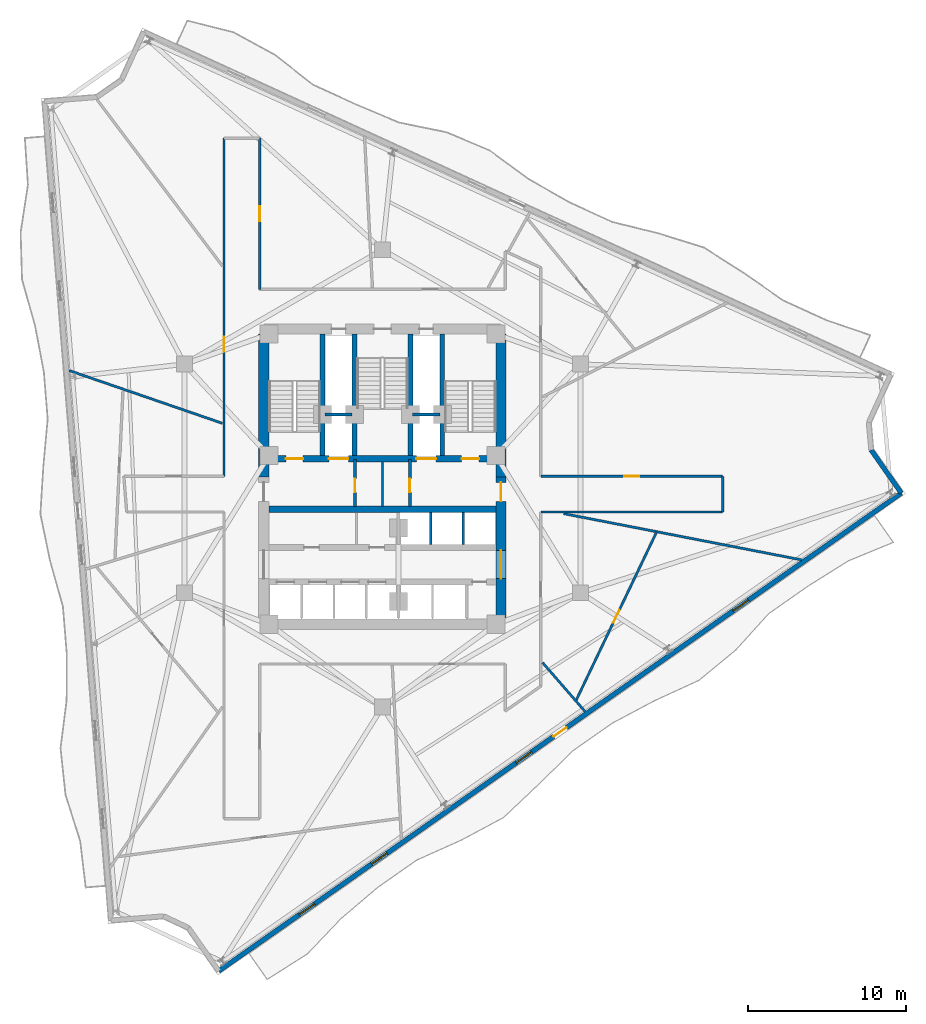
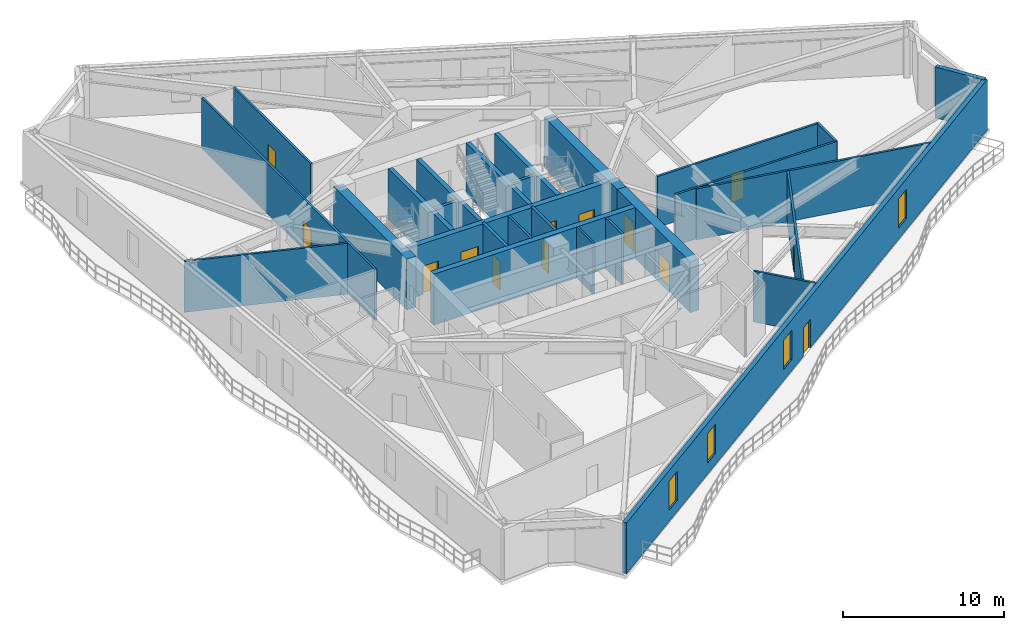
# One storey, part 6 of 12: 27 walls, 13 doors, 4 windows, 17 openings.
"""IFC4 building model written with IfcOpenShell, lengths in metres."""

from ifc_helpers import new_model, si_unit, direction, frame, frame_2d, origin, place, context, subcontext, project, spatial, rectangle, extrude, material, layer, layer_set, type_object, element, fill, save


model = new_model("IFC4")

# Units and contexts
model_context = context("Model", 3, precision=1e-05, world=origin(), true_north=direction((0.0, 1.0)))
body_context = subcontext(model_context, "Body", "Model", "MODEL_VIEW")
ifc_project = project(units=[si_unit("LENGTHUNIT", "METRE"), si_unit("AREAUNIT", "SQUARE_METRE"), si_unit("VOLUMEUNIT", "CUBIC_METRE"), si_unit("PLANEANGLEUNIT", "RADIAN"), si_unit("MASSUNIT", "GRAM", prefix="KILO")], contexts=[model_context])

# Site, building, storey
site_placement = place(None, origin())
site = spatial("IfcSite", under=ifc_project, at=site_placement, CompositionType="ELEMENT")
building_placement = place(site_placement, origin())
building = spatial("IfcBuilding", under=site, at=building_placement, Name="Apsidion Concourse Tower", CompositionType="ELEMENT")
storey_placement = place(building_placement, frame((0.0, 0.0, 198.300048828125)))
storey = spatial("IfcBuildingStorey", under=building, at=storey_placement, Name="L46", CompositionType="ELEMENT", Elevation=198.300048828125)

# Wall
ifc_material_1 = material(Name="Precast concrete C40/50", Category="concrete")
ifc_layer_1 = layer(ifc_material_1, 0.300048828125)
ifc_layer_set_1 = layer_set([ifc_layer_1], Name="Precast concrete C40/50")
wall_type_1 = type_object("IfcWallType", Name="WL-EXT-300", PredefinedType="STANDARD", material=ifc_layer_set_1)
wall_1_placement = place(storey_placement, frame((30.99951171875, 1.809814453125, 0.0), z_axis=(0.0, 0.0, 1.0), x_axis=(0.573550493689, -0.819170208925, 0.0)))
element("IfcWall", 1, at=wall_1_placement, inside=storey, type_object=wall_type_1, Name="L46 Precast Stone Facade Wall 04", PredefinedType="STANDARD", context=body_context, shape_type="SweptSolid", body=[
    extrude(rectangle(XDim=3.345703125, YDim=0.300048828125, at=frame_2d((1.6728515625, 0.0))), origin(), (0.0, 0.0, 1.0), 3.849853515625),
])

# Wall, openings, door, windows
wall_2_placement = place(storey_placement, frame((32.91845703125, -0.930908203125, 0.0), z_axis=(0.0, 0.0, 1.0), x_axis=(-0.819151415939, -0.573577333727, 0.0)))
wall_2 = element("IfcWall", 2, at=wall_2_placement, inside=storey, type_object=wall_type_1, Name="L46 Precast Stone Facade Wall 05", PredefinedType="STANDARD", context=body_context, shape_type="SweptSolid", body=[
    extrude(rectangle(XDim=52.862548828125, YDim=0.300048828125, at=frame_2d((26.43115234375, 0.0))), origin(), (0.0, 0.0, 1.0), 3.849853515625),
])
opening_1_placement = place(wall_2_placement, frame((25.931396484375, 0.0, 0.0)))
opening_1 = element("IfcOpeningElement", 3, at=opening_1_placement, cuts=wall_2, Name="Opening D-T1R", PredefinedType="OPENING", context=body_context, shape_type="SweptSolid", body=[
    extrude(rectangle(XDim=1.0, YDim=2.14990234375, at=frame_2d((0.5, 1.074951171875))), frame((0.0, 0.16015625, 0.0), z_axis=(0.0, -1.0, 0.0), x_axis=(1.0, 0.0, 0.0)), (0.0, 0.0, 1.0), 0.320068359375),
])
opening_2_placement = place(wall_2_placement, frame((11.831298828125, 0.0, 0.85009765625)))
opening_2 = element("IfcOpeningElement", 4, at=opening_2_placement, cuts=wall_2, Name="Opening WN-06", PredefinedType="OPENING", context=body_context, shape_type="SweptSolid", body=[
    extrude(rectangle(XDim=1.199951171875, YDim=2.199951171875, at=frame_2d((0.60009765625, 1.10009765625))), frame((0.0, 0.16015625, 0.0), z_axis=(0.0, -1.0, 0.0), x_axis=(1.0, 0.0, 0.0)), (0.0, 0.0, 1.0), 0.320068359375),
])
opening_3_placement = place(wall_2_placement, frame((28.63134765625, 0.0, 0.85009765625)))
opening_3 = element("IfcOpeningElement", 5, at=opening_3_placement, cuts=wall_2, Name="Opening WN-06", PredefinedType="OPENING", context=body_context, shape_type="SweptSolid", body=[
    extrude(rectangle(XDim=1.199951171875, YDim=2.199951171875, at=frame_2d((0.60009765625, 1.10009765625))), frame((0.0, 0.16015625, 0.0), z_axis=(0.0, -1.0, 0.0), x_axis=(1.0, 0.0, 0.0)), (0.0, 0.0, 1.0), 0.320068359375),
])
opening_4_placement = place(wall_2_placement, frame((39.831298828125, 0.0, 0.85009765625)))
opening_4 = element("IfcOpeningElement", 6, at=opening_4_placement, cuts=wall_2, Name="Opening WN-06", PredefinedType="OPENING", context=body_context, shape_type="SweptSolid", body=[
    extrude(rectangle(XDim=1.199951171875, YDim=2.199951171875, at=frame_2d((0.60009765625, 1.10009765625))), frame((0.0, 0.16015625, 0.0), z_axis=(0.0, -1.0, 0.0), x_axis=(1.0, 0.0, 0.0)), (0.0, 0.0, 1.0), 0.320068359375),
])
opening_5_placement = place(wall_2_placement, frame((45.431396484375, 0.0, 0.85009765625)))
opening_5 = element("IfcOpeningElement", 7, at=opening_5_placement, cuts=wall_2, Name="Opening WN-06", PredefinedType="OPENING", context=body_context, shape_type="SweptSolid", body=[
    extrude(rectangle(XDim=1.199951171875, YDim=2.199951171875, at=frame_2d((0.60009765625, 1.10009765625))), frame((0.0, 0.16015625, 0.0), z_axis=(0.0, -1.0, 0.0), x_axis=(1.0, 0.0, 0.0)), (0.0, 0.0, 1.0), 0.320068359375),
])
ifc_material_2 = material(Name="Anodised aluminium EN AW-6063 T6", Category="aluminium")
door_type_1 = type_object("IfcDoorType", Name="DR-TER-1022R", OperationType="SINGLE_SWING_RIGHT", PredefinedType="DOOR", material=ifc_material_2)
door_1_placement = place(opening_1_placement, origin())
door_1 = element("IfcDoor", 8, at=door_1_placement, inside=storey, type_object=door_type_1, Name="L46 Balcony Access Door 2", OperationType="SINGLE_SWING_RIGHT", OverallHeight=2.14990234375, OverallWidth=1.0, PredefinedType="DOOR", context=body_context, shape_type="SweptSolid", body=[
    extrude(rectangle(XDim=1.0, YDim=2.14990234375, at=frame_2d((0.5, 1.074951171875))), frame((0.0, 0.02490234375, 0.0), z_axis=(0.0, -1.0, 0.0), x_axis=(1.0, 0.0, 0.0)), (0.0, 0.0, 1.0), 0.050048828125),
])
fill(opening_1, door_1)
ifc_material_3 = material(Name="Insulated laminated low-E glass", Category="glass")
window_type = type_object("IfcWindowType", Name="WN-OFF-1224", PartitioningType="SINGLE_PANEL", PredefinedType="WINDOW", material=ifc_material_3)
window_1_placement = place(opening_2_placement, origin())
window_1 = element("IfcWindow", 9, at=window_1_placement, inside=storey, type_object=window_type, Name="L46 Punched Facade Window 5-02", OverallHeight=2.199951171875, OverallWidth=1.199951171875, PartitioningType="SINGLE_PANEL", PredefinedType="WINDOW", context=body_context, shape_type="SweptSolid", body=[
    extrude(rectangle(XDim=1.199951171875, YDim=2.199951171875, at=frame_2d((0.60009765625, 1.10009765625))), frame((0.0, 0.030029296875, 0.0), z_axis=(0.0, -1.0, 0.0), x_axis=(1.0, 0.0, 0.0)), (0.0, 0.0, 1.0), 0.06005859375),
])
fill(opening_2, window_1)
window_2_placement = place(opening_3_placement, origin())
window_2 = element("IfcWindow", 10, at=window_2_placement, inside=storey, type_object=window_type, Name="L46 Punched Facade Window 5-05", OverallHeight=2.199951171875, OverallWidth=1.199951171875, PartitioningType="SINGLE_PANEL", PredefinedType="WINDOW", context=body_context, shape_type="SweptSolid", body=[
    extrude(rectangle(XDim=1.199951171875, YDim=2.199951171875, at=frame_2d((0.60009765625, 1.10009765625))), frame((0.0, 0.030029296875, 0.0), z_axis=(0.0, -1.0, 0.0), x_axis=(1.0, 0.0, 0.0)), (0.0, 0.0, 1.0), 0.06005859375),
])
fill(opening_3, window_2)
window_3_placement = place(opening_4_placement, origin())
window_3 = element("IfcWindow", 11, at=window_3_placement, inside=storey, type_object=window_type, Name="L46 Punched Facade Window 5-07", OverallHeight=2.199951171875, OverallWidth=1.199951171875, PartitioningType="SINGLE_PANEL", PredefinedType="WINDOW", context=body_context, shape_type="SweptSolid", body=[
    extrude(rectangle(XDim=1.199951171875, YDim=2.199951171875, at=frame_2d((0.60009765625, 1.10009765625))), frame((0.0, 0.030029296875, 0.0), z_axis=(0.0, -1.0, 0.0), x_axis=(1.0, 0.0, 0.0)), (0.0, 0.0, 1.0), 0.06005859375),
])
fill(opening_4, window_3)
window_4_placement = place(opening_5_placement, origin())
window_4 = element("IfcWindow", 12, at=window_4_placement, inside=storey, type_object=window_type, Name="L46 Punched Facade Window 5-08", OverallHeight=2.199951171875, OverallWidth=1.199951171875, PartitioningType="SINGLE_PANEL", PredefinedType="WINDOW", context=body_context, shape_type="SweptSolid", body=[
    extrude(rectangle(XDim=1.199951171875, YDim=2.199951171875, at=frame_2d((0.60009765625, 1.10009765625))), frame((0.0, 0.030029296875, 0.0), z_axis=(0.0, -1.0, 0.0), x_axis=(1.0, 0.0, 0.0)), (0.0, 0.0, 1.0), 0.06005859375),
])
fill(opening_5, window_4)

# Walls
ifc_material_4 = material(Name="Gypsum plasterboard partition")
ifc_layer_2 = layer(ifc_material_4, 0.14990234375)
ifc_layer_set_2 = layer_set([ifc_layer_2], Name="Gypsum plasterboard partition")
wall_type_2 = type_object("IfcWallType", Name="WL-INT-PAR-150", PredefinedType="PARTITIONING", material=ifc_layer_set_2)
for number, where, z_axis, x_axis, name in (
    (13, (3.074951171875, -4.179931640625, 0.0), (0.0, 0.0, 1.0), (0.0, 1.0, 0.0), "L46 Interior Partition WL-L46-B3DIV-1"),
    (14, (5.125, -4.179931640625, 0.0), (0.0, 0.0, 1.0), (0.0, 1.0, 0.0), "L46 Interior Partition WL-L46-B3DIV-2"),
):
    element("IfcWall", number, at=place(storey_placement, frame(where, z_axis=z_axis, x_axis=x_axis)), inside=storey, type_object=wall_type_2, Name=name, PredefinedType="PARTITIONING", context=body_context, shape_type="SweptSolid", body=[
        extrude(rectangle(XDim=2.030029296875, YDim=0.14990234375, at=frame_2d((1.01513671875, 0.0))), origin(), (0.0, 0.0, 1.0), 3.849853515625),
    ])
wall_3_placement = place(storey_placement, frame((0.0, -1.780029296875, 0.0), z_axis=(0.0, 0.0, 1.0), x_axis=(0.0, 1.0, 0.0)))
element("IfcWall", 15, at=wall_3_placement, inside=storey, type_object=wall_type_2, Name="L46 Interior Partition WL-L46-K3V", PredefinedType="PARTITIONING", context=body_context, shape_type="SweptSolid", body=[
    extrude(rectangle(XDim=2.830078125, YDim=0.14990234375, at=frame_2d((1.4150390625, 0.0))), origin(), (0.0, 0.0, 1.0), 3.849853515625),
])

# Wall, opening, door
wall_4_placement = place(storey_placement, frame((-10.050048828125, 0.1298828125, 0.0), z_axis=(0.0, 0.0, 1.0), x_axis=(0.0, 1.0, 0.0)))
wall_4 = element("IfcWall", 16, at=wall_4_placement, inside=storey, type_object=wall_type_2, Name="L46 Interior Partition WL-L46-CORR-10", PredefinedType="PARTITIONING", context=body_context, shape_type="SweptSolid", body=[
    extrude(rectangle(XDim=21.4501953125, YDim=0.14990234375, at=frame_2d((10.72509765625, 0.0))), origin(), (0.0, 0.0, 1.0), 3.849853515625),
])
opening_6_placement = place(wall_4_placement, frame((7.9033203125, 0.0, 0.0)))
opening_6 = element("IfcOpeningElement", 17, at=opening_6_placement, cuts=wall_4, Name="Opening D-01L", PredefinedType="OPENING", context=body_context, shape_type="SweptSolid", body=[
    extrude(rectangle(XDim=0.949951171875, YDim=2.14990234375, at=frame_2d((0.47509765625, 1.074951171875))), frame((0.0, 0.0849609375, 0.0), z_axis=(0.0, -1.0, 0.0), x_axis=(1.0, 0.0, 0.0)), (0.0, 0.0, 1.0), 0.169921875),
])
ifc_material_5 = material(Name="Brushed stainless steel 316", Category="steel")
door_type_2 = type_object("IfcDoorType", Name="DR-INT-D01L", OperationType="SINGLE_SWING_LEFT", PredefinedType="DOOR", material=ifc_material_5)
door_2_placement = place(opening_6_placement, origin())
door_2 = element("IfcDoor", 18, at=door_2_placement, inside=storey, type_object=door_type_2, Name="L46 Corridor Entry Door 09", OperationType="SINGLE_SWING_LEFT", OverallHeight=2.14990234375, OverallWidth=0.949951171875, PredefinedType="DOOR", context=body_context, shape_type="SweptSolid", body=[
    extrude(rectangle(XDim=0.949951171875, YDim=2.14990234375, at=frame_2d((0.47509765625, 1.074951171875))), frame((0.0, 0.02490234375, 0.0), z_axis=(0.0, -1.0, 0.0), x_axis=(1.0, 0.0, 0.0)), (0.0, 0.0, 1.0), 0.050048828125),
])
fill(opening_6, door_2)

wall_5_placement = place(storey_placement, frame((-7.7900390625, 21.580078125, 0.0), z_axis=(0.0, 0.0, 1.0), x_axis=(0.0, -1.0, 0.0)))
wall_5 = element("IfcWall", 19, at=wall_5_placement, inside=storey, type_object=wall_type_2, Name="L46 Interior Partition WL-L46-CORR-12", PredefinedType="PARTITIONING", context=body_context, shape_type="SweptSolid", body=[
    extrude(rectangle(XDim=9.580078125, YDim=0.14990234375, at=frame_2d((4.7900390625, 0.0))), origin(), (0.0, 0.0, 1.0), 3.849853515625),
])
opening_7_placement = place(wall_5_placement, frame((4.31494140625, 0.0, 0.0)))
opening_7 = element("IfcOpeningElement", 20, at=opening_7_placement, cuts=wall_5, Name="Opening D-01R", PredefinedType="OPENING", context=body_context, shape_type="SweptSolid", body=[
    extrude(rectangle(XDim=0.949951171875, YDim=2.14990234375, at=frame_2d((0.47509765625, 1.074951171875))), frame((0.0, 0.0849609375, 0.0), z_axis=(0.0, -1.0, 0.0), x_axis=(1.0, 0.0, 0.0)), (0.0, 0.0, 1.0), 0.169921875),
])
door_type_3 = type_object("IfcDoorType", Name="DR-INT-D01R", OperationType="SINGLE_SWING_RIGHT", PredefinedType="DOOR", material=ifc_material_5)
door_3_placement = place(opening_7_placement, origin())
door_3 = element("IfcDoor", 21, at=door_3_placement, inside=storey, type_object=door_type_3, Name="L46 Corridor Entry Door 08", OperationType="SINGLE_SWING_RIGHT", OverallHeight=2.14990234375, OverallWidth=0.949951171875, PredefinedType="DOOR", context=body_context, shape_type="SweptSolid", body=[
    extrude(rectangle(XDim=0.949951171875, YDim=2.14990234375, at=frame_2d((0.47509765625, 1.074951171875))), frame((0.0, 0.02490234375, 0.0), z_axis=(0.0, -1.0, 0.0), x_axis=(1.0, 0.0, 0.0)), (0.0, 0.0, 1.0), 0.050048828125),
])
fill(opening_7, door_3)

wall_6_placement = place(storey_placement, frame((10.050048828125, 0.1298828125, 0.0), z_axis=(0.0, 0.0, 1.0), x_axis=(1.0, 0.0, 0.0)))
wall_6 = element("IfcWall", 22, at=wall_6_placement, inside=storey, type_object=wall_type_2, Name="L46 Interior Partition WL-L46-CORR-17", PredefinedType="PARTITIONING", context=body_context, shape_type="SweptSolid", body=[
    extrude(rectangle(XDim=11.530029296875, YDim=0.14990234375, at=frame_2d((5.76513671875, 0.0))), origin(), (0.0, 0.0, 1.0), 3.849853515625),
])
opening_8_placement = place(wall_6_placement, frame((5.2900390625, 0.0, 0.0)))
opening_8 = element("IfcOpeningElement", 23, at=opening_8_placement, cuts=wall_6, Name="Opening D-01L", PredefinedType="OPENING", context=body_context, shape_type="SweptSolid", body=[
    extrude(rectangle(XDim=0.949951171875, YDim=2.14990234375, at=frame_2d((0.47509765625, 1.074951171875))), frame((0.0, 0.0849609375, 0.0), z_axis=(0.0, -1.0, 0.0), x_axis=(1.0, 0.0, 0.0)), (0.0, 0.0, 1.0), 0.169921875),
])
door_4_placement = place(opening_8_placement, origin())
door_4 = element("IfcDoor", 24, at=door_4_placement, inside=storey, type_object=door_type_2, Name="L46 Corridor Entry Door 05", OperationType="SINGLE_SWING_LEFT", OverallHeight=2.14990234375, OverallWidth=0.949951171875, PredefinedType="DOOR", context=body_context, shape_type="SweptSolid", body=[
    extrude(rectangle(XDim=0.949951171875, YDim=2.14990234375, at=frame_2d((0.47509765625, 1.074951171875))), frame((0.0, 0.02490234375, 0.0), z_axis=(0.0, -1.0, 0.0), x_axis=(1.0, 0.0, 0.0)), (0.0, 0.0, 1.0), 0.050048828125),
])
fill(opening_8, door_4)

# Walls
wall_7_placement = place(storey_placement, frame((21.580078125, 0.1298828125, 0.0), z_axis=(0.0, 0.0, 1.0), x_axis=(0.0, -1.0, 0.0)))
element("IfcWall", 25, at=wall_7_placement, inside=storey, type_object=wall_type_2, Name="L46 Interior Partition WL-L46-CORR-18", PredefinedType="PARTITIONING", context=body_context, shape_type="SweptSolid", body=[
    extrude(rectangle(XDim=2.259765625, YDim=0.14990234375, at=frame_2d((1.1298828125, 0.0))), origin(), (0.0, 0.0, 1.0), 3.849853515625),
])
wall_8_placement = place(storey_placement, frame((21.580078125, -2.1298828125, 0.0), z_axis=(0.0, 0.0, 1.0), x_axis=(-1.0, 0.0, 0.0)))
element("IfcWall", 26, at=wall_8_placement, inside=storey, type_object=wall_type_2, Name="L46 Interior Partition WL-L46-CORR-19", PredefinedType="PARTITIONING", context=body_context, shape_type="SweptSolid", body=[
    extrude(rectangle(XDim=11.530029296875, YDim=0.14990234375, at=frame_2d((5.76513671875, 0.0))), origin(), (0.0, 0.0, 1.0), 3.849853515625),
])
wall_9_placement = place(storey_placement, frame((-10.155029296875, 3.49658203125, 0.0), z_axis=(0.0, 0.0, 1.0), x_axis=(-0.945516630695, 0.325573802814, 0.0)))
element("IfcWall", 27, at=wall_9_placement, inside=storey, type_object=wall_type_2, Name="L46 Interior Partition WL-L46-RAD-05-1", PredefinedType="PARTITIONING", context=body_context, shape_type="SweptSolid", body=[
    extrude(rectangle(XDim=10.288330078125, YDim=0.14990234375, at=frame_2d((5.14404296875, 0.0))), origin(), (0.0, 0.0, 1.0), 3.849853515625),
])
wall_10_placement = place(storey_placement, frame((10.155029296875, -11.681884765625, 0.0), z_axis=(0.0, 0.0, 1.0), x_axis=(0.656047730609, -0.754719401608, 0.0)))
element("IfcWall", 28, at=wall_10_placement, inside=storey, type_object=wall_type_2, Name="L46 Interior Partition WL-L46-RAD-09-1", PredefinedType="PARTITIONING", context=body_context, shape_type="SweptSolid", body=[
    extrude(rectangle(XDim=4.107177734375, YDim=0.14990234375, at=frame_2d((2.0537109375, 0.0))), origin(), (0.0, 0.0, 1.0), 3.849853515625),
])
wall_11_placement = place(storey_placement, frame((11.498046875, -2.235107421875, 0.0), z_axis=(0.0, 0.0, 1.0), x_axis=(0.981627212847, -0.190808844128, 0.0)))
element("IfcWall", 29, at=wall_11_placement, inside=storey, type_object=wall_type_2, Name="L46 Interior Partition WL-L46-RAD-10-1", PredefinedType="PARTITIONING", context=body_context, shape_type="SweptSolid", body=[
    extrude(rectangle(XDim=15.365478515625, YDim=0.14990234375, at=frame_2d((7.6826171875, 0.0))), origin(), (0.0, 0.0, 1.0), 3.849853515625),
])

# Wall, opening, door
wall_12_placement = place(storey_placement, frame((12.281982421875, -14.090576171875, 0.0), z_axis=(0.0, 0.0, 1.0), x_axis=(0.431336595795, 0.902191077947, 0.0)))
wall_12 = element("IfcWall", 30, at=wall_12_placement, inside=storey, type_object=wall_type_2, Name="L46 Interior Partition WL-L46-CHD-OFS03", PredefinedType="PARTITIONING", context=body_context, shape_type="SweptSolid", body=[
    extrude(rectangle(XDim=11.84326171875, YDim=0.14990234375, at=frame_2d((5.921630859375, 0.0))), origin(), (0.0, 0.0, 1.0), 3.849853515625),
])
opening_9_placement = place(wall_12_placement, frame((5.4716796875, 0.0, 0.0)))
opening_9 = element("IfcOpeningElement", 31, at=opening_9_placement, cuts=wall_12, Name="Opening D-02R", PredefinedType="OPENING", context=body_context, shape_type="SweptSolid", body=[
    extrude(rectangle(XDim=0.89990234375, YDim=2.10009765625, at=frame_2d((0.449951171875, 1.050048828125))), frame((0.0, 0.0849609375, 0.0), z_axis=(0.0, -1.0, 0.0), x_axis=(1.0, 0.0, 0.0)), (0.0, 0.0, 1.0), 0.169921875),
])
door_type_4 = type_object("IfcDoorType", Name="DR-INT-D02R", OperationType="SINGLE_SWING_RIGHT", PredefinedType="DOOR", material=ifc_material_2)
door_5_placement = place(opening_9_placement, origin())
door_5 = element("IfcDoor", 32, at=door_5_placement, inside=storey, type_object=door_type_4, Name="L46 Suite Connecting Door OFS03", OperationType="SINGLE_SWING_RIGHT", OverallHeight=2.10009765625, OverallWidth=0.89990234375, PredefinedType="DOOR", context=body_context, shape_type="SweptSolid", body=[
    extrude(rectangle(XDim=0.89990234375, YDim=2.10009765625, at=frame_2d((0.449951171875, 1.050048828125))), frame((0.0, 0.02490234375, 0.0), z_axis=(0.0, -1.0, 0.0), x_axis=(1.0, 0.0, 0.0)), (0.0, 0.0, 1.0), 0.050048828125),
])
fill(opening_9, door_5)

# Walls
ifc_layer_3 = layer(ifc_material_4, 0.199951171875)
ifc_layer_set_3 = layer_set([ifc_layer_3], Name="Gypsum plasterboard partition")
wall_type_3 = type_object("IfcWallType", Name="WL-INT-PAR-200", PredefinedType="PARTITIONING", material=ifc_layer_set_3)
for number, where, z_axis, x_axis, name in (
    (33, (-3.64990234375, 4.050048828125, 0.0), (0.0, 0.0, 1.0), (1.0, 0.0, 0.0), "L46 Interior Partition WL-L46-FF1-N"),
    (34, (1.919921875, 4.050048828125, 0.0), (0.0, 0.0, 1.0), (1.0, 0.0, 0.0), "L46 Interior Partition WL-L46-FF2-N"),
):
    element("IfcWall", number, at=place(storey_placement, frame(where, z_axis=z_axis, x_axis=x_axis)), inside=storey, type_object=wall_type_3, Name=name, PredefinedType="PARTITIONING", context=body_context, shape_type="SweptSolid", body=[
        extrude(rectangle(XDim=1.72998046875, YDim=0.199951171875, at=frame_2d((0.864990234375, 0.0))), origin(), (0.0, 0.0, 1.0), 3.849853515625),
    ])

# Wall, opening, door
wall_13_placement = place(storey_placement, frame((-1.739990234375, -1.780029296875, 0.0), z_axis=(0.0, 0.0, 1.0), x_axis=(0.0, 1.0, 0.0)))
wall_13 = element("IfcWall", 35, at=wall_13_placement, inside=storey, type_object=wall_type_3, Name="L46 Interior Partition WL-L46-FF1-E", PredefinedType="PARTITIONING", context=body_context, shape_type="SweptSolid", body=[
    extrude(rectangle(XDim=2.97998046875, YDim=0.199951171875, at=frame_2d((1.489990234375, 0.0))), origin(), (0.0, 0.0, 1.0), 3.849853515625),
])
opening_10_placement = place(wall_13_placement, frame((0.889892578125, 0.0, 0.0)))
opening_10 = element("IfcOpeningElement", 36, at=opening_10_placement, cuts=wall_13, Name="Opening D-05R", PredefinedType="OPENING", context=body_context, shape_type="SweptSolid", body=[
    extrude(rectangle(XDim=0.8798828125, YDim=2.14990234375, at=frame_2d((0.43994140625, 1.074951171875))), frame((0.0, 0.10986328125, 0.0), z_axis=(0.0, -1.0, 0.0), x_axis=(1.0, 0.0, 0.0)), (0.0, 0.0, 1.0), 0.219970703125),
])
door_type_5 = type_object("IfcDoorType", Name="DR-INT-D05R", OperationType="SINGLE_SWING_RIGHT", PredefinedType="DOOR", material=ifc_material_5)
door_6_placement = place(opening_10_placement, origin())
door_6 = element("IfcDoor", 37, at=door_6_placement, inside=storey, type_object=door_type_5, Name="L46 Core Pantry Door", OperationType="SINGLE_SWING_RIGHT", OverallHeight=2.14990234375, OverallWidth=0.8798828125, PredefinedType="DOOR", context=body_context, shape_type="SweptSolid", body=[
    extrude(rectangle(XDim=0.8798828125, YDim=2.14990234375, at=frame_2d((0.43994140625, 1.074951171875))), frame((0.0, 0.02490234375, 0.0), z_axis=(0.0, -1.0, 0.0), x_axis=(1.0, 0.0, 0.0)), (0.0, 0.0, 1.0), 0.050048828125),
])
fill(opening_10, door_6)

wall_14_placement = place(storey_placement, frame((1.739990234375, -1.780029296875, 0.0), z_axis=(0.0, 0.0, 1.0), x_axis=(0.0, 1.0, 0.0)))
wall_14 = element("IfcWall", 38, at=wall_14_placement, inside=storey, type_object=wall_type_3, Name="L46 Interior Partition WL-L46-FF2-W", PredefinedType="PARTITIONING", context=body_context, shape_type="SweptSolid", body=[
    extrude(rectangle(XDim=2.97998046875, YDim=0.199951171875, at=frame_2d((1.489990234375, 0.0))), origin(), (0.0, 0.0, 1.0), 3.849853515625),
])
opening_11_placement = place(wall_14_placement, frame((0.889892578125, 0.0, 0.0)))
opening_11 = element("IfcOpeningElement", 39, at=opening_11_placement, cuts=wall_14, Name="Opening D-05L", PredefinedType="OPENING", context=body_context, shape_type="SweptSolid", body=[
    extrude(rectangle(XDim=0.8798828125, YDim=2.14990234375, at=frame_2d((0.43994140625, 1.074951171875))), frame((0.0, 0.10986328125, 0.0), z_axis=(0.0, -1.0, 0.0), x_axis=(1.0, 0.0, 0.0)), (0.0, 0.0, 1.0), 0.219970703125),
])
door_type_6 = type_object("IfcDoorType", Name="DR-INT-D05L", OperationType="SINGLE_SWING_LEFT", PredefinedType="DOOR", material=ifc_material_5)
door_7_placement = place(opening_11_placement, origin())
door_7 = element("IfcDoor", 40, at=door_7_placement, inside=storey, type_object=door_type_6, Name="L46 Core Electrical Door", OperationType="SINGLE_SWING_LEFT", OverallHeight=2.14990234375, OverallWidth=0.8798828125, PredefinedType="DOOR", context=body_context, shape_type="SweptSolid", body=[
    extrude(rectangle(XDim=0.8798828125, YDim=2.14990234375, at=frame_2d((0.43994140625, 1.074951171875))), frame((0.0, 0.02490234375, 0.0), z_axis=(0.0, -1.0, 0.0), x_axis=(1.0, 0.0, 0.0)), (0.0, 0.0, 1.0), 0.050048828125),
])
fill(opening_11, door_7)

# Walls
ifc_material_6 = material(Name="Concrete C50/60", Category="concrete")
ifc_layer_4 = layer(ifc_material_6, 0.300048828125)
ifc_layer_set_4 = layer_set([ifc_layer_4], Name="Concrete C50/60")
wall_type_4 = type_object("IfcWallType", Name="WL-SH-300", PredefinedType="SHEAR", material=ifc_layer_set_4)
for number, where, z_axis, x_axis, name in (
    (41, (-3.800048828125, 1.449951171875, 0.0), (0.0, 0.0, 1.0), (0.0, 1.0, 0.0), "L46 Central Core Shear Wall V1"),
    (42, (-1.77490234375, 1.449951171875, 0.0), (0.0, 0.0, 1.0), (0.0, 1.0, 0.0), "L46 Central Core Shear Wall V2"),
    (43, (1.77490234375, 1.449951171875, 0.0), (0.0, 0.0, 1.0), (0.0, 1.0, 0.0), "L46 Central Core Shear Wall V3"),
    (44, (3.800048828125, 1.449951171875, 0.0), (0.0, 0.0, 1.0), (0.0, 1.0, 0.0), "L46 Central Core Shear Wall V4"),
):
    element("IfcWall", number, at=place(storey_placement, frame(where, z_axis=z_axis, x_axis=x_axis)), inside=storey, type_object=wall_type_4, Name=name, PredefinedType="SHEAR", context=body_context, shape_type="SweptSolid", body=[
        extrude(rectangle(XDim=7.699951171875, YDim=0.300048828125, at=frame_2d((3.85009765625, 0.0))), origin(), (0.0, 0.0, 1.0), 3.849853515625),
    ])

# Wall, openings, doors
ifc_layer_5 = layer(ifc_material_6, 0.39990234375)
ifc_layer_set_5 = layer_set([ifc_layer_5], Name="Concrete C50/60")
wall_type_5 = type_object("IfcWallType", Name="WL-SH-400", PredefinedType="SHEAR", material=ifc_layer_set_5)
wall_15_placement = place(storey_placement, frame((-7.199951171875, 1.25, 0.0), z_axis=(0.0, 0.0, 1.0), x_axis=(1.0, 0.0, 0.0)))
wall_15 = element("IfcWall", 45, at=wall_15_placement, inside=storey, type_object=wall_type_5, Name="L46 Central Core Shear Wall M1", PredefinedType="SHEAR", context=body_context, shape_type="SweptSolid", body=[
    extrude(rectangle(XDim=14.39990234375, YDim=0.39990234375, at=frame_2d((7.199951171875, 0.0))), origin(), (0.0, 0.0, 1.0), 3.849853515625),
])
opening_12_placement = place(wall_15_placement, frame((3.794921875, 0.0, 0.0)))
opening_12 = element("IfcOpeningElement", 46, at=opening_12_placement, cuts=wall_15, Name="Opening LD-FF", PredefinedType="OPENING", context=body_context, shape_type="SweptSolid", body=[
    extrude(rectangle(XDim=1.25, YDim=2.25, at=frame_2d((0.625, 1.125))), frame((0.0, 0.2099609375, 0.0), z_axis=(0.0, -1.0, 0.0), x_axis=(1.0, 0.0, 0.0)), (0.0, 0.0, 1.0), 0.419921875),
])
opening_13_placement = place(wall_15_placement, frame((9.35498046875, 0.0, 0.0)))
opening_13 = element("IfcOpeningElement", 47, at=opening_13_placement, cuts=wall_15, Name="Opening LD-FF", PredefinedType="OPENING", context=body_context, shape_type="SweptSolid", body=[
    extrude(rectangle(XDim=1.25, YDim=2.25, at=frame_2d((0.625, 1.125))), frame((0.0, 0.2099609375, 0.0), z_axis=(0.0, -1.0, 0.0), x_axis=(1.0, 0.0, 0.0)), (0.0, 0.0, 1.0), 0.419921875),
])
opening_14_placement = place(wall_15_placement, frame((1.074951171875, 0.0, 0.0)))
opening_14 = element("IfcOpeningElement", 48, at=opening_14_placement, cuts=wall_15, Name="Opening D-STL", PredefinedType="OPENING", context=body_context, shape_type="SweptSolid", body=[
    extrude(rectangle(XDim=1.10009765625, YDim=2.14990234375, at=frame_2d((0.550048828125, 1.074951171875))), frame((0.0, 0.2099609375, 0.0), z_axis=(0.0, -1.0, 0.0), x_axis=(1.0, 0.0, 0.0)), (0.0, 0.0, 1.0), 0.419921875),
])
opening_15_placement = place(wall_15_placement, frame((12.22509765625, 0.0, 0.0)))
opening_15 = element("IfcOpeningElement", 49, at=opening_15_placement, cuts=wall_15, Name="Opening D-STR", PredefinedType="OPENING", context=body_context, shape_type="SweptSolid", body=[
    extrude(rectangle(XDim=1.10009765625, YDim=2.14990234375, at=frame_2d((0.550048828125, 1.074951171875))), frame((0.0, 0.2099609375, 0.0), z_axis=(0.0, -1.0, 0.0), x_axis=(1.0, 0.0, 0.0)), (0.0, 0.0, 1.0), 0.419921875),
])
door_type_7 = type_object("IfcDoorType", Name="DR-INT-ST1L", OperationType="SINGLE_SWING_LEFT", PredefinedType="DOOR", material=ifc_material_5)
door_8_placement = place(opening_14_placement, origin())
door_8 = element("IfcDoor", 50, at=door_8_placement, inside=storey, type_object=door_type_7, Name="L46 Core Exit Stair ST1 Door", OperationType="SINGLE_SWING_LEFT", OverallHeight=2.14990234375, OverallWidth=1.10009765625, PredefinedType="DOOR", context=body_context, shape_type="SweptSolid", body=[
    extrude(rectangle(XDim=1.10009765625, YDim=2.14990234375, at=frame_2d((0.550048828125, 1.074951171875))), frame((0.0, 0.02490234375, 0.0), z_axis=(0.0, -1.0, 0.0), x_axis=(1.0, 0.0, 0.0)), (0.0, 0.0, 1.0), 0.050048828125),
])
fill(opening_14, door_8)
door_type_8 = type_object("IfcDoorType", Name="DR-INT-ST1R", OperationType="SINGLE_SWING_RIGHT", PredefinedType="DOOR", material=ifc_material_5)
door_9_placement = place(opening_15_placement, origin())
door_9 = element("IfcDoor", 51, at=door_9_placement, inside=storey, type_object=door_type_8, Name="L46 Core Exit Stair ST2 Door", OperationType="SINGLE_SWING_RIGHT", OverallHeight=2.14990234375, OverallWidth=1.10009765625, PredefinedType="DOOR", context=body_context, shape_type="SweptSolid", body=[
    extrude(rectangle(XDim=1.10009765625, YDim=2.14990234375, at=frame_2d((0.550048828125, 1.074951171875))), frame((0.0, 0.02490234375, 0.0), z_axis=(0.0, -1.0, 0.0), x_axis=(1.0, 0.0, 0.0)), (0.0, 0.0, 1.0), 0.050048828125),
])
fill(opening_15, door_9)
door_type_9 = type_object("IfcDoorType", Name="DR-LD-FSAE", OperationType="DOUBLE_DOOR_SLIDING", PredefinedType="DOOR", material=ifc_material_5)
door_10_placement = place(opening_12_placement, origin())
door_10 = element("IfcDoor", 52, at=door_10_placement, inside=storey, type_object=door_type_9, Name="L46 Lift Landing Door FF1", OperationType="DOUBLE_DOOR_SLIDING", OverallHeight=2.25, OverallWidth=1.25, PredefinedType="DOOR", context=body_context, shape_type="SweptSolid", body=[
    extrude(rectangle(XDim=1.25, YDim=2.25, at=frame_2d((0.625, 1.125))), frame((0.0, 0.02490234375, 0.0), z_axis=(0.0, -1.0, 0.0), x_axis=(1.0, 0.0, 0.0)), (0.0, 0.0, 1.0), 0.050048828125),
])
fill(opening_12, door_10)
door_11_placement = place(opening_13_placement, origin())
door_11 = element("IfcDoor", 53, at=door_11_placement, inside=storey, type_object=door_type_9, Name="L46 Lift Landing Door FF2", OperationType="DOUBLE_DOOR_SLIDING", OverallHeight=2.25, OverallWidth=1.25, PredefinedType="DOOR", context=body_context, shape_type="SweptSolid", body=[
    extrude(rectangle(XDim=1.25, YDim=2.25, at=frame_2d((0.625, 1.125))), frame((0.0, 0.02490234375, 0.0), z_axis=(0.0, -1.0, 0.0), x_axis=(1.0, 0.0, 0.0)), (0.0, 0.0, 1.0), 0.050048828125),
])
fill(opening_13, door_11)

# Walls
wall_16_placement = place(storey_placement, frame((-7.199951171875, -1.949951171875, 0.0), z_axis=(0.0, 0.0, 1.0), x_axis=(1.0, 0.0, 0.0)))
element("IfcWall", 54, at=wall_16_placement, inside=storey, type_object=wall_type_5, Name="L46 Central Core Shear Wall M2", PredefinedType="SHEAR", context=body_context, shape_type="SweptSolid", body=[
    extrude(rectangle(XDim=14.39990234375, YDim=0.39990234375, at=frame_2d((7.199951171875, 0.0))), origin(), (0.0, 0.0, 1.0), 3.849853515625),
])
ifc_layer_6 = layer(ifc_material_6, 0.64990234375)
ifc_layer_set_6 = layer_set([ifc_layer_6], Name="Concrete C50/60")
wall_type_6 = type_object("IfcWallType", Name="WL-SH-650", PredefinedType="SHEAR", material=ifc_layer_set_6)
for number, where, z_axis, x_axis, name in (
    (55, (-7.52490234375, 0.10009765625, 0.0), (0.0, 0.0, 1.0), (0.0, 1.0, 0.0), "L46 Central Core Shear Wall WN"),
    (56, (7.52490234375, 0.10009765625, 0.0), (0.0, 0.0, 1.0), (0.0, 1.0, 0.0), "L46 Central Core Shear Wall EN"),
):
    element("IfcWall", number, at=place(storey_placement, frame(where, z_axis=z_axis, x_axis=x_axis)), inside=storey, type_object=wall_type_6, Name=name, PredefinedType="SHEAR", context=body_context, shape_type="SweptSolid", body=[
        extrude(rectangle(XDim=9.0498046875, YDim=0.64990234375, at=frame_2d((4.52490234375, 0.0))), origin(), (0.0, 0.0, 1.0), 3.849853515625),
    ])

# Wall, openings, doors
wall_17_placement = place(storey_placement, frame((7.52490234375, -8.925048828125, 0.0), z_axis=(0.0, 0.0, 1.0), x_axis=(0.0, 1.0, 0.0)))
wall_17 = element("IfcWall", 57, at=wall_17_placement, inside=storey, type_object=wall_type_6, Name="L46 Central Core Shear Wall ES", PredefinedType="SHEAR", context=body_context, shape_type="SweptSolid", body=[
    extrude(rectangle(XDim=9.025146484375, YDim=0.64990234375, at=frame_2d((4.5126953125, 0.0))), origin(), (0.0, 0.0, 1.0), 3.849853515625),
])
opening_16_placement = place(wall_17_placement, frame((2.56494140625, 0.0, 0.0)))
opening_16 = element("IfcOpeningElement", 58, at=opening_16_placement, cuts=wall_17, Name="Opening D-06D", PredefinedType="OPENING", context=body_context, shape_type="SweptSolid", body=[
    extrude(rectangle(XDim=1.800048828125, YDim=2.199951171875, at=frame_2d((0.89990234375, 1.10009765625))), frame((0.0, 0.3349609375, 0.0), z_axis=(0.0, -1.0, 0.0), x_axis=(1.0, 0.0, 0.0)), (0.0, 0.0, 1.0), 0.669921875),
])
opening_17_placement = place(wall_17_placement, frame((7.47509765625, 0.0, 0.0)))
opening_17 = element("IfcOpeningElement", 59, at=opening_17_placement, cuts=wall_17, Name="Opening D-FFR", PredefinedType="OPENING", context=body_context, shape_type="SweptSolid", body=[
    extrude(rectangle(XDim=1.199951171875, YDim=2.14990234375, at=frame_2d((0.60009765625, 1.074951171875))), frame((0.0, 0.3349609375, 0.0), z_axis=(0.0, -1.0, 0.0), x_axis=(1.0, 0.0, 0.0)), (0.0, 0.0, 1.0), 0.669921875),
])
door_type_10 = type_object("IfcDoorType", Name="DR-INT-D06D", OperationType="DOUBLE_DOOR_SINGLE_SWING", PredefinedType="DOOR", material=ifc_material_5)
door_12_placement = place(opening_16_placement, origin())
door_12 = element("IfcDoor", 60, at=door_12_placement, inside=storey, type_object=door_type_10, Name="L46 Passenger Lift Lobby ES Portal Door", OperationType="DOUBLE_DOOR_SINGLE_SWING", OverallHeight=2.199951171875, OverallWidth=1.800048828125, PredefinedType="DOOR", context=body_context, shape_type="SweptSolid", body=[
    extrude(rectangle(XDim=1.800048828125, YDim=2.199951171875, at=frame_2d((0.89990234375, 1.10009765625))), frame((0.0, 0.02490234375, 0.0), z_axis=(0.0, -1.0, 0.0), x_axis=(1.0, 0.0, 0.0)), (0.0, 0.0, 1.0), 0.050048828125),
])
fill(opening_16, door_12)
door_type_11 = type_object("IfcDoorType", Name="DR-INT-FFR", OperationType="SINGLE_SWING_RIGHT", PredefinedType="DOOR", material=ifc_material_5)
door_13_placement = place(opening_17_placement, origin())
door_13 = element("IfcDoor", 61, at=door_13_placement, inside=storey, type_object=door_type_11, Name="L46 Firefighting Lift Lobby FF2 Door", OperationType="SINGLE_SWING_RIGHT", OverallHeight=2.14990234375, OverallWidth=1.199951171875, PredefinedType="DOOR", context=body_context, shape_type="SweptSolid", body=[
    extrude(rectangle(XDim=1.199951171875, YDim=2.14990234375, at=frame_2d((0.60009765625, 1.074951171875))), frame((0.0, 0.02490234375, 0.0), z_axis=(0.0, -1.0, 0.0), x_axis=(1.0, 0.0, 0.0)), (0.0, 0.0, 1.0), 0.050048828125),
])
fill(opening_17, door_13)

save(model, "model.ifc")
